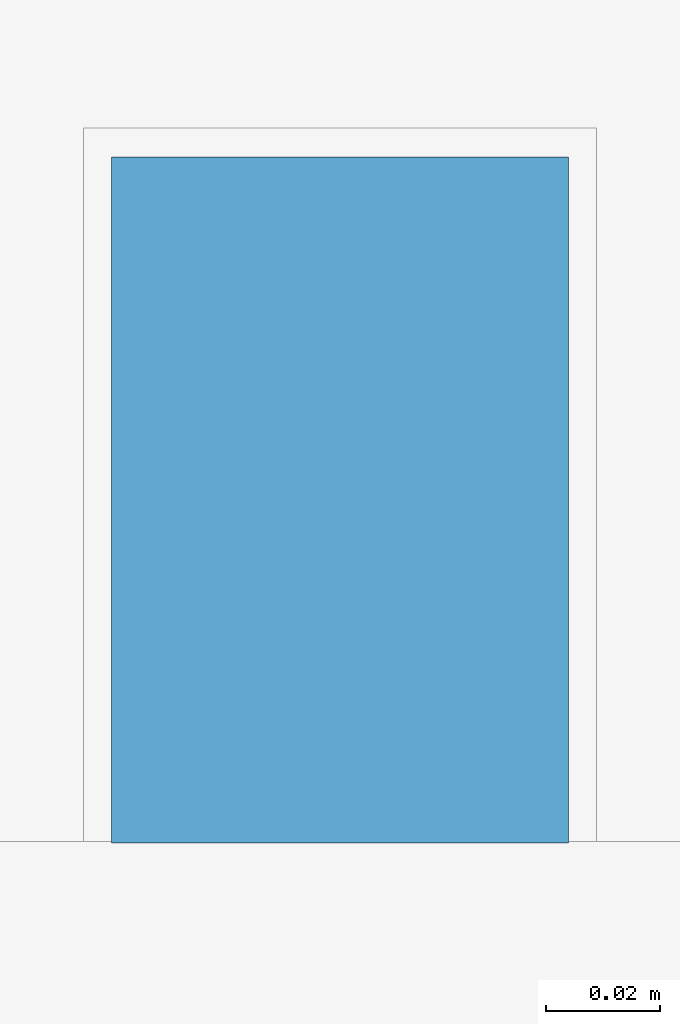
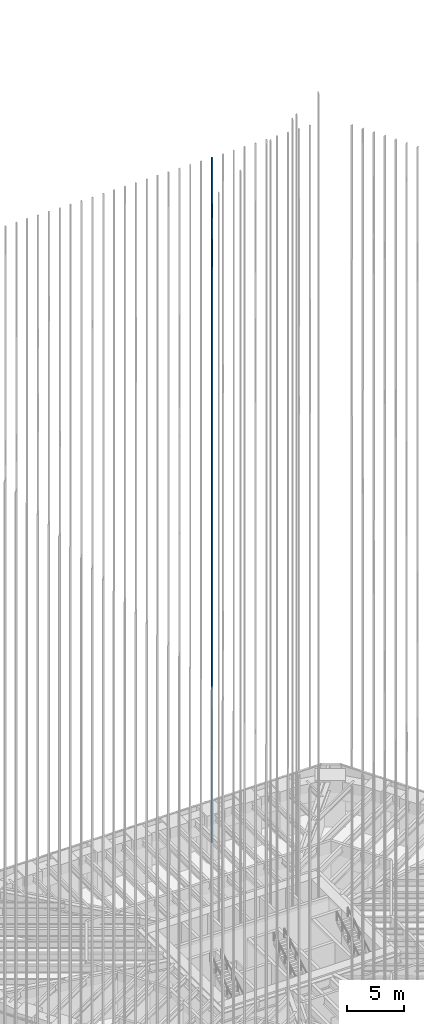
# One storey, part 204 of 228: 1 member, 1 element without a shape of its own.
"""IFC4 building model written with IfcOpenShell, lengths in metres."""

from ifc_helpers import new_model, si_unit, direction, frame, origin, origin_2d, place, context, subcontext, project, spatial, rectangle, extrude, material, material_profile, profile_set, type_object, element, aggregate, save


model = new_model("IFC4")

# Units and contexts
model_context = context("Model", 3, precision=1e-05, world=origin(), true_north=direction((0.0, 1.0)))
body_context = subcontext(model_context, "Body", "Model", "MODEL_VIEW")
ifc_project = project(units=[si_unit("LENGTHUNIT", "METRE"), si_unit("AREAUNIT", "SQUARE_METRE"), si_unit("VOLUMEUNIT", "CUBIC_METRE"), si_unit("PLANEANGLEUNIT", "RADIAN"), si_unit("MASSUNIT", "GRAM", prefix="KILO")], contexts=[model_context])

# Site, building, storey
site_placement = place(None, origin())
site = spatial("IfcSite", under=ifc_project, at=site_placement, CompositionType="ELEMENT")
building_placement = place(site_placement, origin())
building = spatial("IfcBuilding", under=site, at=building_placement, Name="Sandreach Pilgrim Tower", CompositionType="ELEMENT")
storey_placement = place(building_placement, frame((0.0, 0.0, 178.199951171875)))
storey = spatial("IfcBuildingStorey", under=building, at=storey_placement, Name="L44", CompositionType="ELEMENT", Elevation=178.199951171875)

# Curtain wall, member
ifc_material_1 = material(Name="Aluminium framed curtain wall", Category="aluminium")
curtain_wall_type = type_object("IfcCurtainWallType", Name="Upper hotel tower curtain wall", PredefinedType="NOTDEFINED", material=ifc_material_1)
curtain_wall_placement = place(storey_placement, origin())
curtain_wall = element("IfcCurtainWall", 1, at=curtain_wall_placement, inside=storey, type_object=curtain_wall_type, Name="CW-3 L44 N", PredefinedType="NOTDEFINED")
ifc_material_2 = material(Name="Extruded terracotta on aluminium core", Category="masonry")
ifc_material_profile = material_profile(ifc_material_2, rectangle(XDim=0.080078125, YDim=0.1201171875, at=origin_2d()), Name="TBN 80X120")
ifc_profile_set = profile_set([ifc_material_profile], Name="Extruded terracotta on aluminium core")
member_type = type_object("IfcMemberType", Name="Terracotta baguette north", PredefinedType="USERDEFINED", material=ifc_profile_set)
member_placement = place(storey_placement, frame((6.59912109375, 21.52001953125, 0.0), z_axis=(0.0, 0.0, 1.0), x_axis=(1.0, 0.0, 0.0)))
member = element("IfcMember", 2, at=member_placement, type_object=member_type, Name="Baguette Z3 N22", ObjectType="BAGUETTE", PredefinedType="USERDEFINED", context=body_context, shape_type="SweptSolid", body=[
    extrude(rectangle(XDim=0.080078125, YDim=0.1201171875, at=origin_2d()), origin(), (0.0, 0.0, 1.0), 73.239990234375),
])
aggregate(curtain_wall, [member])

save(model, "model.ifc")
